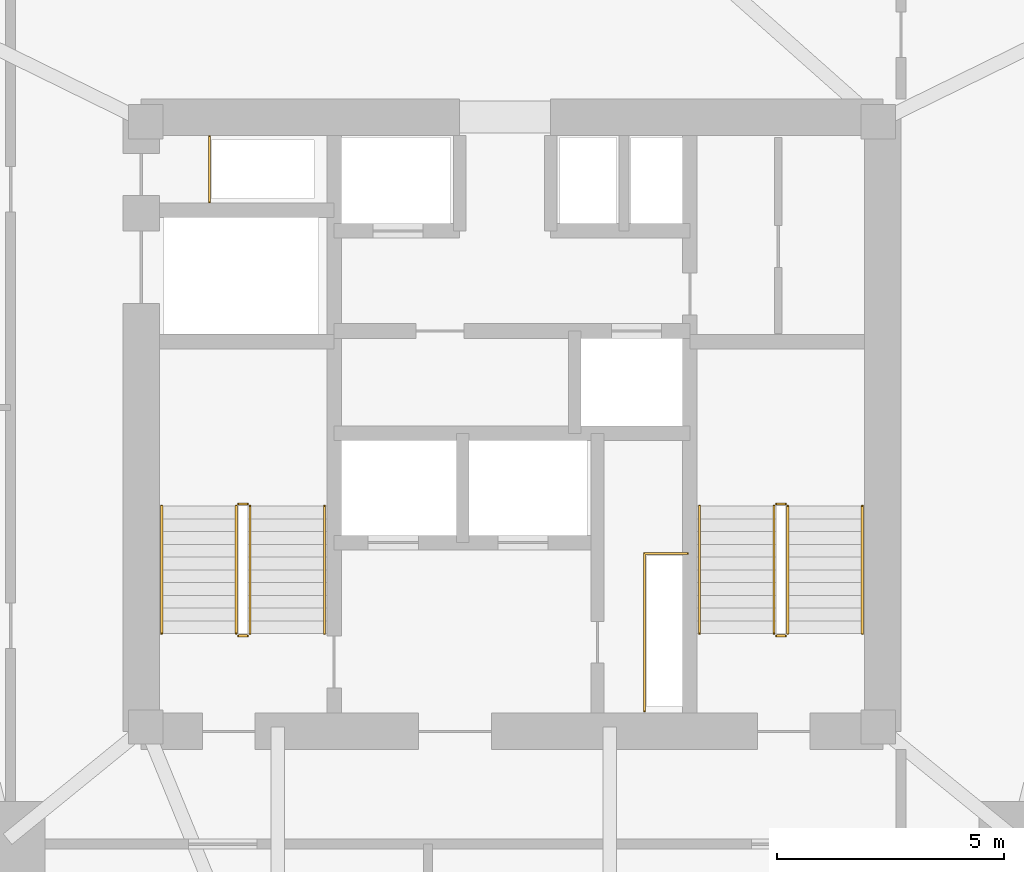
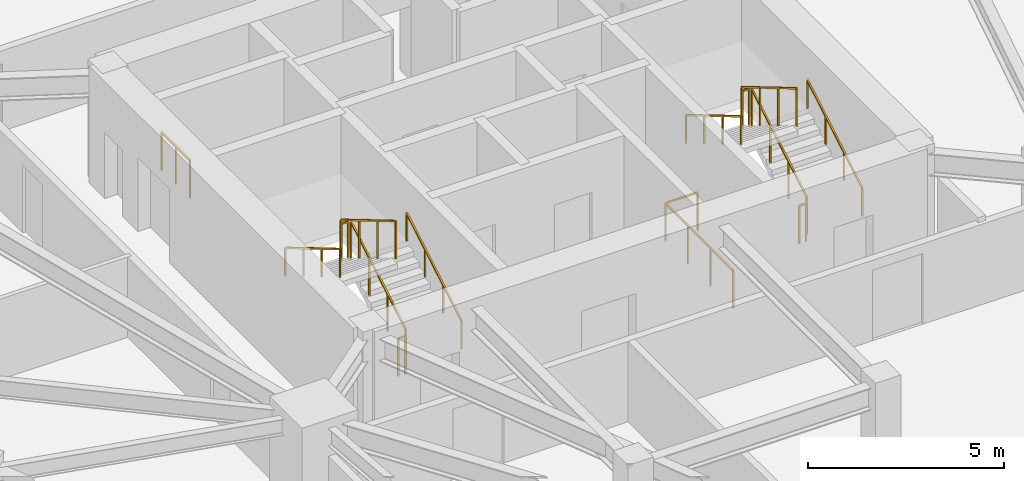
# One storey, part 16 of 16: 14 railings.
"""IFC4 building model written with IfcOpenShell, lengths in metres."""

from ifc_helpers import new_model, si_unit, direction, frame, origin, origin_2d, place, context, subcontext, project, spatial, rectangle, extrude, material, type_object, element, save


model = new_model("IFC4")

# Units and contexts
model_context = context("Model", 3, precision=1e-05, world=origin(), true_north=direction((0.0, 1.0)))
body_context = subcontext(model_context, "Body", "Model", "MODEL_VIEW")
ifc_project = project(units=[si_unit("LENGTHUNIT", "METRE"), si_unit("AREAUNIT", "SQUARE_METRE"), si_unit("VOLUMEUNIT", "CUBIC_METRE"), si_unit("PLANEANGLEUNIT", "RADIAN"), si_unit("MASSUNIT", "GRAM", prefix="KILO")], contexts=[model_context])

# Site, building, storey
site_placement = place(None, origin())
site = spatial("IfcSite", under=ifc_project, at=site_placement, CompositionType="ELEMENT")
building_placement = place(site_placement, origin())
building = spatial("IfcBuilding", under=site, at=building_placement, Name="Talyreon Biosciences Tower", CompositionType="ELEMENT")
storey_placement = place(building_placement, frame((0.0, 0.0, 107.85009765625)))
storey = spatial("IfcBuildingStorey", under=building, at=storey_placement, Name="L28", CompositionType="ELEMENT", Elevation=107.85009765625)

# Railings
ifc_material_1 = material(Name="Brushed stainless-steel tubular handrail", Category="steel")
railing_type_1 = type_object("IfcRailingType", Name="StairWallHandrail_900", PredefinedType="HANDRAIL", material=ifc_material_1)
railing_1_placement = place(storey_placement, frame((61.8798828125, 63.39990234375, 0.165771484375)))
element("IfcRailing", 1, at=railing_1_placement, inside=storey, type_object=railing_type_1, Name="L28 ST-1 stair handrail 1", PredefinedType="HANDRAIL", context=body_context, shape_type="SweptSolid", body=[
    extrude(rectangle(XDim=0.048095703125, YDim=0.048095703125, at=origin_2d()), frame((0.0, 0.0, 0.8759765625), z_axis=(0.0, 0.860306154799, 0.50977771628), x_axis=(-1.0, 0.0, 0.0)), (0.0, 0.0, 1.0), 3.254638671875),
    extrude(rectangle(XDim=0.0419921875, YDim=0.0419921875, at=origin_2d()), origin(), (0.0, 0.0, 1.0), 0.851806640625),
    extrude(rectangle(XDim=0.0419921875, YDim=0.0419921875, at=origin_2d()), frame((0.0, 0.933349609375, 0.552978515625)), (0.0, 0.0, 1.0), 0.851806640625),
    extrude(rectangle(XDim=0.0419921875, YDim=0.0419921875, at=origin_2d()), frame((0.0, 1.86669921875, 1.106201171875)), (0.0, 0.0, 1.0), 0.851806640625),
    extrude(rectangle(XDim=0.0419921875, YDim=0.0419921875, at=origin_2d()), frame((0.0, 2.800048828125, 1.6591796875)), (0.0, 0.0, 1.0), 0.851806640625),
])
railing_2_placement = place(storey_placement, frame((58.300048828125, 66.199951171875, 1.99072265625)))
element("IfcRailing", 2, at=railing_2_placement, inside=storey, type_object=railing_type_1, Name="L28 ST-1 stair handrail 2", PredefinedType="HANDRAIL", context=body_context, shape_type="SweptSolid", body=[
    extrude(rectangle(XDim=0.048095703125, YDim=0.048095703125, at=origin_2d()), frame((0.0, 0.0, 0.8759765625), z_axis=(0.0, -0.860306154799, 0.50977771628), x_axis=(1.0, 0.0, 0.0)), (0.0, 0.0, 1.0), 3.254638671875),
    extrude(rectangle(XDim=0.0419921875, YDim=0.0419921875, at=origin_2d()), origin(), (0.0, 0.0, 1.0), 0.851806640625),
    extrude(rectangle(XDim=0.0419921875, YDim=0.0419921875, at=origin_2d()), frame((0.0, -0.933349609375, 0.552978515625)), (0.0, 0.0, 1.0), 0.851806640625),
    extrude(rectangle(XDim=0.0419921875, YDim=0.0419921875, at=origin_2d()), frame((0.0, -1.86669921875, 1.106201171875)), (0.0, 0.0, 1.0), 0.851806640625),
    extrude(rectangle(XDim=0.0419921875, YDim=0.0419921875, at=origin_2d()), frame((0.0, -2.800048828125, 1.6591796875)), (0.0, 0.0, 1.0), 0.851806640625),
])
railing_3_placement = place(storey_placement, frame((73.699951171875, 63.39990234375, 0.165771484375)))
element("IfcRailing", 3, at=railing_3_placement, inside=storey, type_object=railing_type_1, Name="L28 ST-2 stair handrail 1", PredefinedType="HANDRAIL", context=body_context, shape_type="SweptSolid", body=[
    extrude(rectangle(XDim=0.048095703125, YDim=0.048095703125, at=origin_2d()), frame((0.0, 0.0, 0.8759765625), z_axis=(0.0, 0.860306154799, 0.50977771628), x_axis=(-1.0, 0.0, 0.0)), (0.0, 0.0, 1.0), 3.254638671875),
    extrude(rectangle(XDim=0.0419921875, YDim=0.0419921875, at=origin_2d()), origin(), (0.0, 0.0, 1.0), 0.851806640625),
    extrude(rectangle(XDim=0.0419921875, YDim=0.0419921875, at=origin_2d()), frame((0.0, 0.933349609375, 0.552978515625)), (0.0, 0.0, 1.0), 0.851806640625),
    extrude(rectangle(XDim=0.0419921875, YDim=0.0419921875, at=origin_2d()), frame((0.0, 1.86669921875, 1.106201171875)), (0.0, 0.0, 1.0), 0.851806640625),
    extrude(rectangle(XDim=0.0419921875, YDim=0.0419921875, at=origin_2d()), frame((0.0, 2.800048828125, 1.6591796875)), (0.0, 0.0, 1.0), 0.851806640625),
])
railing_4_placement = place(storey_placement, frame((70.1201171875, 66.199951171875, 1.99072265625)))
element("IfcRailing", 4, at=railing_4_placement, inside=storey, type_object=railing_type_1, Name="L28 ST-2 stair handrail 2", PredefinedType="HANDRAIL", context=body_context, shape_type="SweptSolid", body=[
    extrude(rectangle(XDim=0.048095703125, YDim=0.048095703125, at=origin_2d()), frame((0.0, 0.0, 0.8759765625), z_axis=(0.0, -0.860306154799, 0.50977771628), x_axis=(1.0, 0.0, 0.0)), (0.0, 0.0, 1.0), 3.254638671875),
    extrude(rectangle(XDim=0.0419921875, YDim=0.0419921875, at=origin_2d()), origin(), (0.0, 0.0, 1.0), 0.851806640625),
    extrude(rectangle(XDim=0.0419921875, YDim=0.0419921875, at=origin_2d()), frame((0.0, -0.933349609375, 0.552978515625)), (0.0, 0.0, 1.0), 0.851806640625),
    extrude(rectangle(XDim=0.0419921875, YDim=0.0419921875, at=origin_2d()), frame((0.0, -1.86669921875, 1.106201171875)), (0.0, 0.0, 1.0), 0.851806640625),
    extrude(rectangle(XDim=0.0419921875, YDim=0.0419921875, at=origin_2d()), frame((0.0, -2.800048828125, 1.6591796875)), (0.0, 0.0, 1.0), 0.851806640625),
])
ifc_material_2 = material(Name="Painted galvanised steel post-and-rail balustrade", Category="steel")
railing_type_2 = type_object("IfcRailingType", Name="TerraceStairGuard_1200", PredefinedType="GUARDRAIL", material=ifc_material_2)
railing_5_placement = place(storey_placement, frame((60.239990234375, 63.39990234375, 0.165771484375)))
element("IfcRailing", 5, at=railing_5_placement, inside=storey, type_object=railing_type_2, Name="L28 ST-1 stair guard 1", PredefinedType="GUARDRAIL", context=body_context, shape_type="SweptSolid", body=[
    extrude(rectangle(XDim=0.048095703125, YDim=0.048095703125, at=origin_2d()), frame((0.0, 0.0, 1.17578125), z_axis=(0.0, 0.860306154799, 0.50977771628), x_axis=(-1.0, 0.0, 0.0)), (0.0, 0.0, 1.0), 3.254638671875),
    extrude(rectangle(XDim=0.0419921875, YDim=0.0419921875, at=origin_2d()), origin(), (0.0, 0.0, 1.0), 1.15185546875),
    extrude(rectangle(XDim=0.0419921875, YDim=0.0419921875, at=origin_2d()), frame((0.0, 0.933349609375, 0.552978515625)), (0.0, 0.0, 1.0), 1.15185546875),
    extrude(rectangle(XDim=0.0419921875, YDim=0.0419921875, at=origin_2d()), frame((0.0, 1.86669921875, 1.106201171875)), (0.0, 0.0, 1.0), 1.15185546875),
    extrude(rectangle(XDim=0.0419921875, YDim=0.0419921875, at=origin_2d()), frame((0.0, 2.800048828125, 1.6591796875)), (0.0, 0.0, 1.0), 1.15185546875),
])
railing_6_placement = place(storey_placement, frame((60.18994140625, 66.25, 1.824951171875)))
element("IfcRailing", 6, at=railing_6_placement, inside=storey, type_object=railing_type_2, Name="L28 ST-1 stair guard 2", PredefinedType="GUARDRAIL", context=body_context, shape_type="SweptSolid", body=[
    extrude(rectangle(XDim=0.048095703125, YDim=0.048095703125, at=origin_2d()), frame((0.0, 0.0, 1.17578125), z_axis=(-1.0, 0.0, 0.0), x_axis=(0.0, -1.0, 0.0)), (0.0, 0.0, 1.0), 0.199951171875),
    extrude(rectangle(XDim=0.0419921875, YDim=0.0419921875, at=origin_2d()), origin(), (0.0, 0.0, 1.0), 1.15185546875),
    extrude(rectangle(XDim=0.0419921875, YDim=0.0419921875, at=origin_2d()), frame((-0.199951171875, 0.0, 0.0)), (0.0, 0.0, 1.0), 1.15185546875),
])
railing_7_placement = place(storey_placement, frame((59.93994140625, 66.199951171875, 1.99072265625)))
element("IfcRailing", 7, at=railing_7_placement, inside=storey, type_object=railing_type_2, Name="L28 ST-1 stair guard 3", PredefinedType="GUARDRAIL", context=body_context, shape_type="SweptSolid", body=[
    extrude(rectangle(XDim=0.048095703125, YDim=0.048095703125, at=origin_2d()), frame((0.0, 0.0, 1.17578125), z_axis=(0.0, -0.860306154799, 0.50977771628), x_axis=(1.0, 0.0, 0.0)), (0.0, 0.0, 1.0), 3.254638671875),
    extrude(rectangle(XDim=0.0419921875, YDim=0.0419921875, at=origin_2d()), origin(), (0.0, 0.0, 1.0), 1.15185546875),
    extrude(rectangle(XDim=0.0419921875, YDim=0.0419921875, at=origin_2d()), frame((0.0, -0.933349609375, 0.552978515625)), (0.0, 0.0, 1.0), 1.15185546875),
    extrude(rectangle(XDim=0.0419921875, YDim=0.0419921875, at=origin_2d()), frame((0.0, -1.86669921875, 1.106201171875)), (0.0, 0.0, 1.0), 1.15185546875),
    extrude(rectangle(XDim=0.0419921875, YDim=0.0419921875, at=origin_2d()), frame((0.0, -2.800048828125, 1.6591796875)), (0.0, 0.0, 1.0), 1.15185546875),
])
railing_8_placement = place(storey_placement, frame((60.18994140625, 63.35009765625, 0.0)))
element("IfcRailing", 8, at=railing_8_placement, inside=storey, type_object=railing_type_2, Name="L28 ST-1 stair guard 4", PredefinedType="GUARDRAIL", context=body_context, shape_type="SweptSolid", body=[
    extrude(rectangle(XDim=0.048095703125, YDim=0.048095703125, at=origin_2d()), frame((0.0, 0.0, 1.17578125), z_axis=(-1.0, 0.0, 0.0), x_axis=(0.0, -1.0, 0.0)), (0.0, 0.0, 1.0), 0.199951171875),
    extrude(rectangle(XDim=0.0419921875, YDim=0.0419921875, at=origin_2d()), origin(), (0.0, 0.0, 1.0), 1.15185546875),
    extrude(rectangle(XDim=0.0419921875, YDim=0.0419921875, at=origin_2d()), frame((-0.199951171875, 0.0, 0.0)), (0.0, 0.0, 1.0), 1.15185546875),
])
railing_9_placement = place(storey_placement, frame((72.06005859375, 63.39990234375, 0.165771484375)))
element("IfcRailing", 9, at=railing_9_placement, inside=storey, type_object=railing_type_2, Name="L28 ST-2 stair guard 1", PredefinedType="GUARDRAIL", context=body_context, shape_type="SweptSolid", body=[
    extrude(rectangle(XDim=0.048095703125, YDim=0.048095703125, at=origin_2d()), frame((0.0, 0.0, 1.17578125), z_axis=(0.0, 0.860306154799, 0.50977771628), x_axis=(-1.0, 0.0, 0.0)), (0.0, 0.0, 1.0), 3.254638671875),
    extrude(rectangle(XDim=0.0419921875, YDim=0.0419921875, at=origin_2d()), origin(), (0.0, 0.0, 1.0), 1.15185546875),
    extrude(rectangle(XDim=0.0419921875, YDim=0.0419921875, at=origin_2d()), frame((0.0, 0.933349609375, 0.552978515625)), (0.0, 0.0, 1.0), 1.15185546875),
    extrude(rectangle(XDim=0.0419921875, YDim=0.0419921875, at=origin_2d()), frame((0.0, 1.86669921875, 1.106201171875)), (0.0, 0.0, 1.0), 1.15185546875),
    extrude(rectangle(XDim=0.0419921875, YDim=0.0419921875, at=origin_2d()), frame((0.0, 2.800048828125, 1.6591796875)), (0.0, 0.0, 1.0), 1.15185546875),
])
railing_10_placement = place(storey_placement, frame((72.010009765625, 66.25, 1.824951171875)))
element("IfcRailing", 10, at=railing_10_placement, inside=storey, type_object=railing_type_2, Name="L28 ST-2 stair guard 2", PredefinedType="GUARDRAIL", context=body_context, shape_type="SweptSolid", body=[
    extrude(rectangle(XDim=0.048095703125, YDim=0.048095703125, at=origin_2d()), frame((0.0, 0.0, 1.17578125), z_axis=(-1.0, 0.0, 0.0), x_axis=(0.0, -1.0, 0.0)), (0.0, 0.0, 1.0), 0.199951171875),
    extrude(rectangle(XDim=0.0419921875, YDim=0.0419921875, at=origin_2d()), origin(), (0.0, 0.0, 1.0), 1.15185546875),
    extrude(rectangle(XDim=0.0419921875, YDim=0.0419921875, at=origin_2d()), frame((-0.199951171875, 0.0, 0.0)), (0.0, 0.0, 1.0), 1.15185546875),
])
railing_11_placement = place(storey_placement, frame((71.760009765625, 66.199951171875, 1.99072265625)))
element("IfcRailing", 11, at=railing_11_placement, inside=storey, type_object=railing_type_2, Name="L28 ST-2 stair guard 3", PredefinedType="GUARDRAIL", context=body_context, shape_type="SweptSolid", body=[
    extrude(rectangle(XDim=0.048095703125, YDim=0.048095703125, at=origin_2d()), frame((0.0, 0.0, 1.17578125), z_axis=(0.0, -0.860306154799, 0.50977771628), x_axis=(1.0, 0.0, 0.0)), (0.0, 0.0, 1.0), 3.254638671875),
    extrude(rectangle(XDim=0.0419921875, YDim=0.0419921875, at=origin_2d()), origin(), (0.0, 0.0, 1.0), 1.15185546875),
    extrude(rectangle(XDim=0.0419921875, YDim=0.0419921875, at=origin_2d()), frame((0.0, -0.933349609375, 0.552978515625)), (0.0, 0.0, 1.0), 1.15185546875),
    extrude(rectangle(XDim=0.0419921875, YDim=0.0419921875, at=origin_2d()), frame((0.0, -1.86669921875, 1.106201171875)), (0.0, 0.0, 1.0), 1.15185546875),
    extrude(rectangle(XDim=0.0419921875, YDim=0.0419921875, at=origin_2d()), frame((0.0, -2.800048828125, 1.6591796875)), (0.0, 0.0, 1.0), 1.15185546875),
])
railing_12_placement = place(storey_placement, frame((72.010009765625, 63.35009765625, 0.0)))
element("IfcRailing", 12, at=railing_12_placement, inside=storey, type_object=railing_type_2, Name="L28 ST-2 stair guard 4", PredefinedType="GUARDRAIL", context=body_context, shape_type="SweptSolid", body=[
    extrude(rectangle(XDim=0.048095703125, YDim=0.048095703125, at=origin_2d()), frame((0.0, 0.0, 1.17578125), z_axis=(-1.0, 0.0, 0.0), x_axis=(0.0, -1.0, 0.0)), (0.0, 0.0, 1.0), 0.199951171875),
    extrude(rectangle(XDim=0.0419921875, YDim=0.0419921875, at=origin_2d()), origin(), (0.0, 0.0, 1.0), 1.15185546875),
    extrude(rectangle(XDim=0.0419921875, YDim=0.0419921875, at=origin_2d()), frame((-0.199951171875, 0.0, 0.0)), (0.0, 0.0, 1.0), 1.15185546875),
])
railing_13_placement = place(storey_placement, frame((59.35009765625, 72.8798828125, 0.0)))
element("IfcRailing", 13, at=railing_13_placement, inside=storey, type_object=railing_type_2, Name="L28 Exhaust Riser Maintenance Guardrail", PredefinedType="GUARDRAIL", context=body_context, shape_type="SweptSolid", body=[
    extrude(rectangle(XDim=0.048095703125, YDim=0.048095703125, at=origin_2d()), frame((0.0, 0.0, 1.17578125), z_axis=(0.0, 1.0, 0.0), x_axis=(-1.0, 0.0, 0.0)), (0.0, 0.0, 1.0), 1.4501953125),
    extrude(rectangle(XDim=0.0419921875, YDim=0.0419921875, at=origin_2d()), origin(), (0.0, 0.0, 1.0), 1.15185546875),
    extrude(rectangle(XDim=0.0419921875, YDim=0.0419921875, at=origin_2d()), frame((0.0, 0.72509765625, 0.0)), (0.0, 0.0, 1.0), 1.15185546875),
    extrude(rectangle(XDim=0.0419921875, YDim=0.0419921875, at=origin_2d()), frame((0.0, 1.4501953125, 0.0)), (0.0, 0.0, 1.0), 1.15185546875),
])
railing_14_placement = place(storey_placement, frame((68.909912109375, 61.699951171875, 0.0)))
element("IfcRailing", 14, at=railing_14_placement, inside=storey, type_object=railing_type_2, Name="L28 Electrical Riser Maintenance Guardrail", PredefinedType="GUARDRAIL", context=body_context, shape_type="SweptSolid", body=[
    extrude(rectangle(XDim=0.048095703125, YDim=0.048095703125, at=origin_2d()), frame((0.0, 0.0, 1.17578125), z_axis=(0.0, 1.0, 0.0), x_axis=(-1.0, 0.0, 0.0)), (0.0, 0.0, 1.0), 3.4599609375),
    extrude(rectangle(XDim=0.048095703125, YDim=0.048095703125, at=origin_2d()), frame((0.0, 3.4599609375, 1.17578125), z_axis=(1.0, 0.0, 0.0), x_axis=(0.0, 1.0, 0.0)), (0.0, 0.0, 1.0), 0.9501953125),
    extrude(rectangle(XDim=0.0419921875, YDim=0.0419921875, at=origin_2d()), origin(), (0.0, 0.0, 1.0), 1.15185546875),
    extrude(rectangle(XDim=0.0419921875, YDim=0.0419921875, at=origin_2d()), frame((0.0, 1.1533203125, 0.0)), (0.0, 0.0, 1.0), 1.15185546875),
    extrude(rectangle(XDim=0.0419921875, YDim=0.0419921875, at=origin_2d()), frame((0.0, 2.306640625, 0.0)), (0.0, 0.0, 1.0), 1.15185546875),
    extrude(rectangle(XDim=0.0419921875, YDim=0.0419921875, at=origin_2d()), frame((0.0, 3.4599609375, 0.0)), (0.0, 0.0, 1.0), 1.15185546875),
    extrude(rectangle(XDim=0.0419921875, YDim=0.0419921875, at=origin_2d()), frame((0.9501953125, 3.4599609375, 0.0)), (0.0, 0.0, 1.0), 1.15185546875),
])

save(model, "model.ifc")
